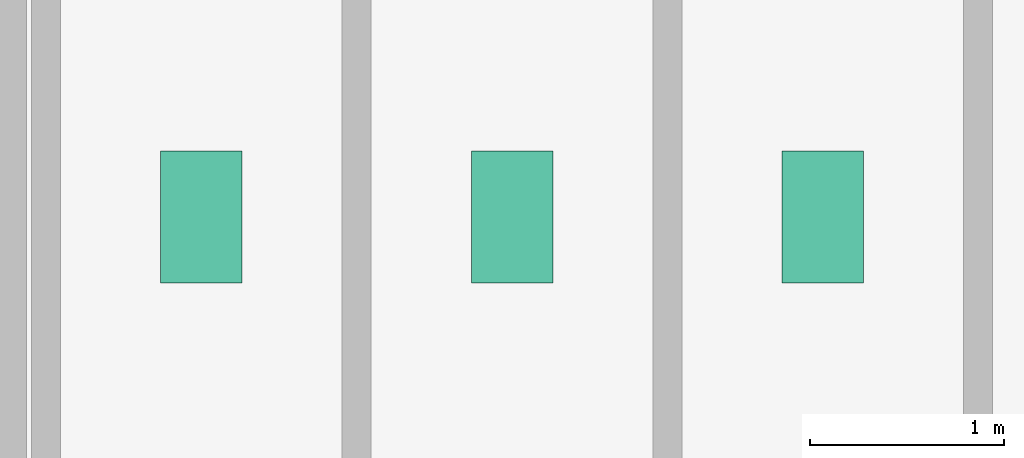
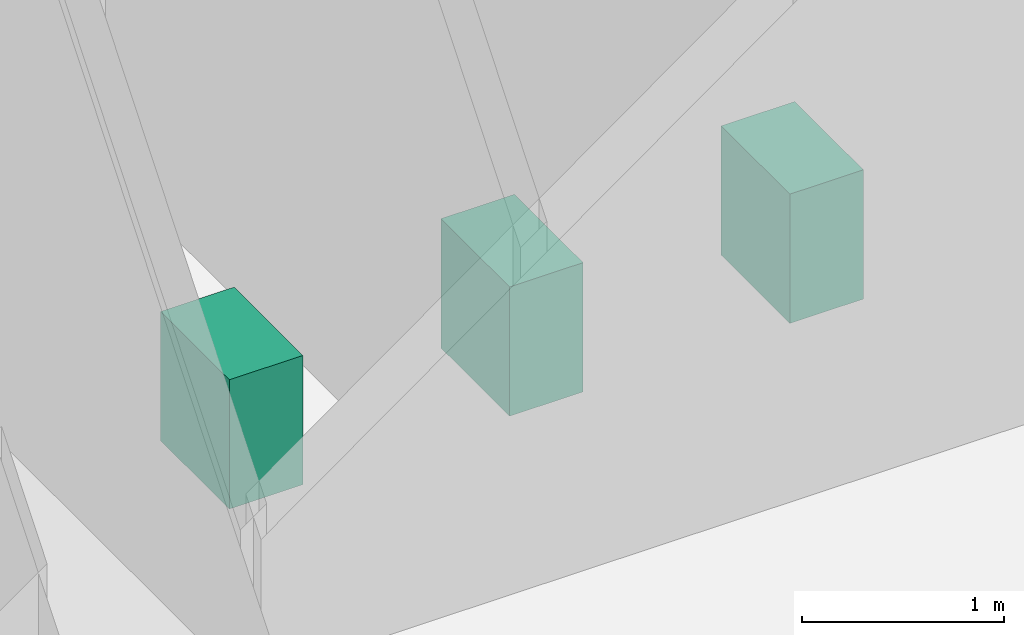
# One storey, part 22 of 22: 3 sanitary terminals.
"""IFC4 building model written with IfcOpenShell, lengths in metres."""

from ifc_helpers import new_model, si_unit, derived_unit, direction, frame, origin, origin_2d, place, context, subcontext, project, spatial, rectangle, extrude, source, transform, mapped, material, type_object, element, save


model = new_model("IFC4")

# Units and contexts
model_context = context("Model", 3, precision=1e-05, world=origin(), true_north=direction((0.0, 1.0)))
body_context = subcontext(model_context, "Body", "Model", "MODEL_VIEW")
ifc_project = project(units=[si_unit("LENGTHUNIT", "METRE"), si_unit("AREAUNIT", "SQUARE_METRE"), si_unit("VOLUMEUNIT", "CUBIC_METRE"), si_unit("PLANEANGLEUNIT", "RADIAN"), si_unit("MASSUNIT", "GRAM", prefix="KILO"), derived_unit("THERMALTRANSMITTANCEUNIT", [(si_unit("POWERUNIT", "WATT"), 1), (si_unit("LENGTHUNIT", "METRE"), -2), (si_unit("THERMODYNAMICTEMPERATUREUNIT", "KELVIN"), -1)])], contexts=[model_context])

# Site, building, storey
site_placement = place(None, origin())
site = spatial("IfcSite", under=ifc_project, at=site_placement, CompositionType="ELEMENT")
building_placement = place(site_placement, origin())
building = spatial("IfcBuilding", under=site, at=building_placement, Name="Skarnbrae Concourse Arena and Tower", CompositionType="ELEMENT")
storey_placement = place(building_placement, frame((0.0, 0.0, 39.800048828125)))
storey = spatial("IfcBuildingStorey", under=building, at=storey_placement, Name="L08", CompositionType="ELEMENT", Elevation=39.800048828125)

# Sanitary terminals
ifc_material = material(Name="Vitreous china sanitaryware", Category="other")
sanitary_terminal_type = type_object("IfcSanitaryTerminalType", Name="SAN-WC-VITREOUS", PredefinedType="TOILETPAN", material=ifc_material)
shared_shape = source(origin(), body_context, "Body", "SweptSolid", [
    extrude(rectangle(XDim=0.419921875, YDim=0.679931640625, at=origin_2d()), origin(), (0.0, 0.0, 1.0), 0.780029296875),
])
for number, where, z_axis, x_axis, name in (
    (1, (35.0, 11.39990234375, 0.0), (0.0, 0.0, 1.0), (1.0, 0.0, 0.0), "L08 Washroom WC fixture 1"),
    (2, (36.60009765625, 11.39990234375, 0.0), (0.0, 0.0, 1.0), (1.0, 0.0, 0.0), "L08 Washroom WC fixture 2"),
    (3, (38.199951171875, 11.39990234375, 0.0), (0.0, 0.0, 1.0), (1.0, 0.0, 0.0), "L08 Washroom WC fixture 3"),
):
    element("IfcSanitaryTerminal", number, at=place(storey_placement, frame(where, z_axis=z_axis, x_axis=x_axis)), inside=storey, type_object=sanitary_terminal_type, Name=name, PredefinedType="TOILETPAN", context=body_context, shape_type="MappedRepresentation", body=[
        mapped(shared_shape, transform((0.0, 0.0, 0.0))),
    ])

save(model, "model.ifc")
